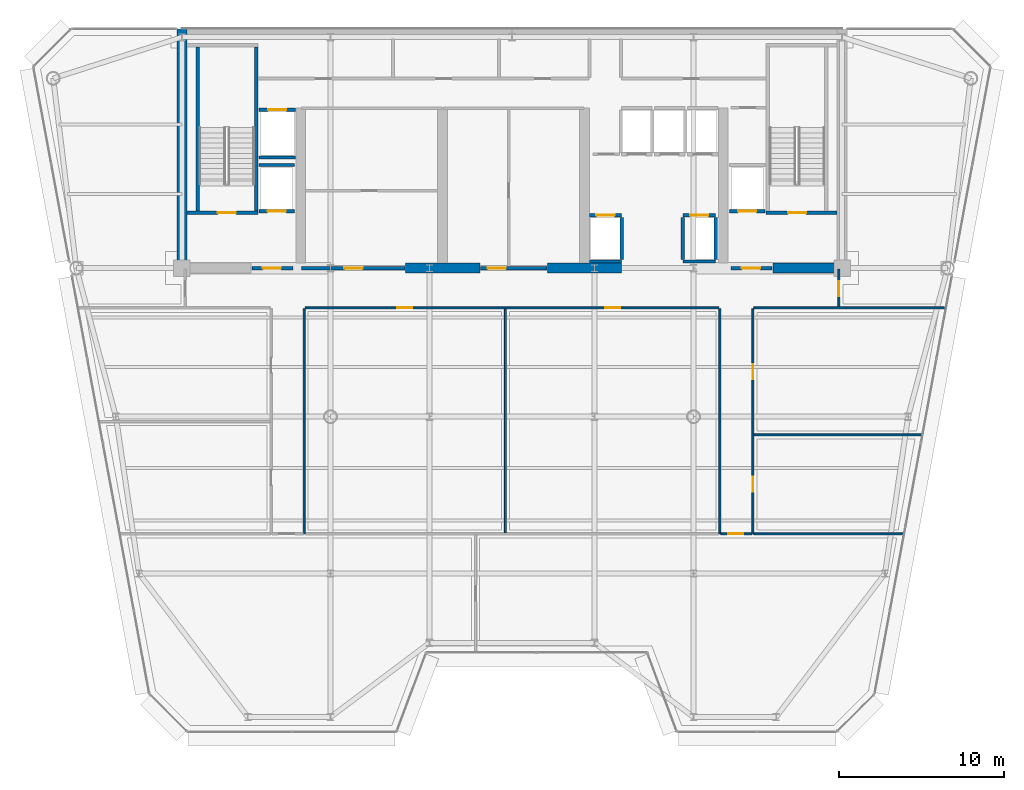
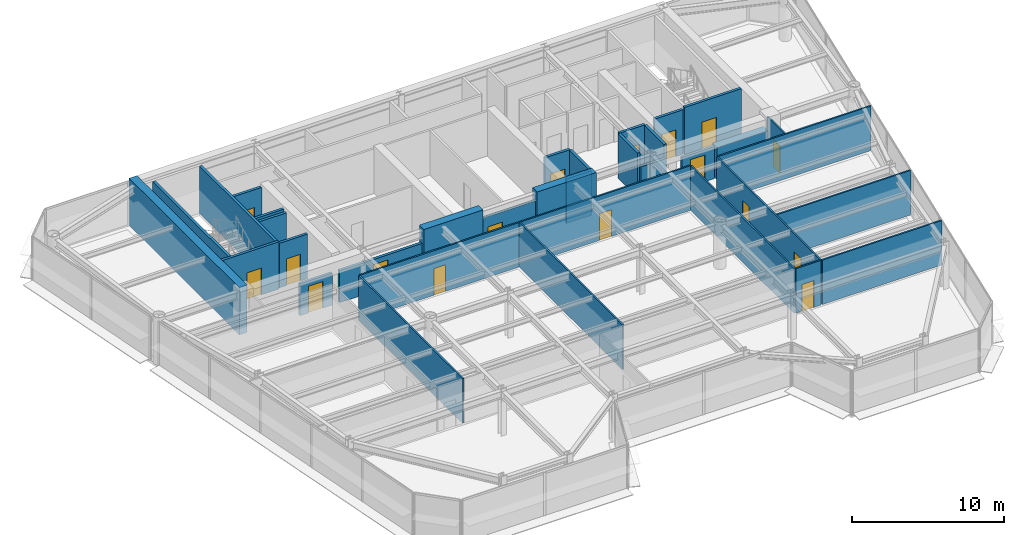
# One storey, part 11 of 16: 34 walls, 17 doors, 17 openings.
"""IFC4 building model written with IfcOpenShell, lengths in metres."""

from ifc_helpers import new_model, si_unit, direction, frame, frame_2d, origin, place, context, subcontext, project, spatial, rectangle, extrude, source, transform, mapped, material, layer, layer_set, type_object, element, fill, save


model = new_model("IFC4")

# Units and contexts
model_context = context("Model", 3, precision=1e-05, world=origin(), true_north=direction((0.0, 1.0)))
body_context = subcontext(model_context, "Body", "Model", "MODEL_VIEW")
ifc_project = project(units=[si_unit("LENGTHUNIT", "METRE"), si_unit("AREAUNIT", "SQUARE_METRE"), si_unit("VOLUMEUNIT", "CUBIC_METRE"), si_unit("PLANEANGLEUNIT", "RADIAN"), si_unit("MASSUNIT", "GRAM", prefix="KILO")], contexts=[model_context])

# Site, building, storey
site_placement = place(None, origin())
site = spatial("IfcSite", under=ifc_project, at=site_placement, CompositionType="ELEMENT")
building_placement = place(site_placement, origin())
building = spatial("IfcBuilding", under=site, at=building_placement, Name="Vaeldorn Concourse Tower", CompositionType="ELEMENT")
storey_placement = place(building_placement, frame((0.0, 0.0, 210.800048828125)))
storey = spatial("IfcBuildingStorey", under=building, at=storey_placement, Name="L54", CompositionType="ELEMENT", Elevation=210.800048828125)

# Walls
ifc_material_1 = material(Name="Concrete C50/60", Category="concrete")
ifc_layer_1 = layer(ifc_material_1, 0.60009765625)
ifc_layer_set_1 = layer_set([ifc_layer_1], Name="Concrete C50/60")
wall_type_1 = type_object("IfcWallType", Name="WL-CORE-600", PredefinedType="SHEAR", material=ifc_layer_set_1)
wall_1_placement = place(storey_placement, frame((14.0, 36.5, 0.0), z_axis=(0.0, 0.0, 1.0), x_axis=(0.0, 1.0, 0.0)))
element("IfcWall", 1, at=wall_1_placement, inside=storey, type_object=wall_type_1, Name="Rear Core Shear Wall L54 W1", PredefinedType="SHEAR", context=body_context, shape_type="SweptSolid", body=[
    extrude(rectangle(XDim=14.5, YDim=0.60009765625, at=frame_2d((7.25, 0.0))), origin(), (0.0, 0.0, 1.0), 3.800048828125),
])
for number, where, z_axis, x_axis, name in (
    (2, (27.550048828125, 36.5, 0.0), (0.0, 0.0, 1.0), (1.0, 0.0, 0.0), "Rear Core Shear Wall L54 S2"),
    (3, (36.14990234375, 36.5, 0.0), (0.0, 0.0, 1.0), (1.0, 0.0, 0.0), "Rear Core Shear Wall L54 S3"),
):
    element("IfcWall", number, at=place(storey_placement, frame(where, z_axis=z_axis, x_axis=x_axis)), inside=storey, type_object=wall_type_1, Name=name, PredefinedType="SHEAR", context=body_context, shape_type="SweptSolid", body=[
        extrude(rectangle(XDim=4.5, YDim=0.60009765625, at=frame_2d((2.25, 0.0))), origin(), (0.0, 0.0, 1.0), 3.800048828125),
    ])
wall_2_placement = place(storey_placement, frame((49.800048828125, 36.5, 0.0), z_axis=(0.0, 0.0, 1.0), x_axis=(1.0, 0.0, 0.0)))
element("IfcWall", 4, at=wall_2_placement, inside=storey, type_object=wall_type_1, Name="Rear Core Shear Wall L54 S4", PredefinedType="SHEAR", context=body_context, shape_type="SweptSolid", body=[
    extrude(rectangle(XDim=3.8798828125, YDim=0.60009765625, at=frame_2d((1.93994140625, 0.0))), origin(), (0.0, 0.0, 1.0), 2.579833984375),
])

# Wall, openings, doors
ifc_material_2 = material(Name="Gypsum Board Partition", Category="gypsum")
ifc_layer_2 = layer(ifc_material_2, 0.1201171875)
ifc_layer_set_2 = layer_set([ifc_layer_2], Name="Gypsum Board Partition")
wall_type_2 = type_object("IfcWallType", Name="WL-PART-120", PredefinedType="PARTITIONING", material=ifc_layer_set_2)
wall_3_placement = place(storey_placement, frame((21.4599609375, 34.10009765625, 0.0), z_axis=(0.0, 0.0, 1.0), x_axis=(1.0, 0.0, 0.0)))
wall_3 = element("IfcWall", 5, at=wall_3_placement, inside=storey, type_object=wall_type_2, Name="Interior Wall PW-L54-CEWS", PredefinedType="PARTITIONING", context=body_context, shape_type="SweptSolid", body=[
    extrude(rectangle(XDim=25.080078125, YDim=0.1201171875, at=frame_2d((12.5400390625, 0.0))), origin(), (0.0, 0.0, 1.0), 3.579833984375),
])
opening_1_placement = place(wall_3_placement, frame((5.590087890625, 0.0, 0.0)))
opening_1 = element("IfcOpeningElement", 6, at=opening_1_placement, cuts=wall_3, Name="Opening D-03", PredefinedType="OPENING", context=body_context, shape_type="SweptSolid", body=[
    extrude(rectangle(XDim=0.89990234375, YDim=2.14990234375, at=frame_2d((0.449951171875, 1.074951171875))), frame((0.0, 0.070068359375, 0.0), z_axis=(0.0, -1.0, 0.0), x_axis=(1.0, 0.0, 0.0)), (0.0, 0.0, 1.0), 0.14013671875),
])
opening_2_placement = place(wall_3_placement, frame((18.18994140625, 0.0, 0.0)))
opening_2 = element("IfcOpeningElement", 7, at=opening_2_placement, cuts=wall_3, Name="Opening D-03", PredefinedType="OPENING", context=body_context, shape_type="SweptSolid", body=[
    extrude(rectangle(XDim=0.89990234375, YDim=2.14990234375, at=frame_2d((0.449951171875, 1.074951171875))), frame((0.0, 0.070068359375, 0.0), z_axis=(0.0, -1.0, 0.0), x_axis=(1.0, 0.0, 0.0)), (0.0, 0.0, 1.0), 0.14013671875),
])
ifc_material_3 = material(Name="Acoustic Bronze-Framed Glass Door", Category="glass")
door_type_1 = type_object("IfcDoorType", Name="DR-INT-900", OperationType="NOTDEFINED", PredefinedType="DOOR", material=ifc_material_3)
shared_shape_1 = source(origin(), body_context, "Body", "SweptSolid", [
    extrude(rectangle(XDim=0.89990234375, YDim=2.14990234375, at=frame_2d((0.449951171875, 1.074951171875))), frame((0.0, 0.02490234375, 0.0), z_axis=(0.0, -1.0, 0.0), x_axis=(1.0, 0.0, 0.0)), (0.0, 0.0, 1.0), 0.050048828125),
])
door_1_placement = place(opening_1_placement, origin())
door_1 = element("IfcDoor", 8, at=door_1_placement, inside=storey, type_object=door_type_1, Name="Interior Door DR-L54-H1", OperationType="SINGLE_SWING_LEFT", OverallHeight=2.14990234375, OverallWidth=0.89990234375, PredefinedType="DOOR", context=body_context, shape_type="MappedRepresentation", body=[
    mapped(shared_shape_1, transform((0.0, 0.0, 0.0), scale=1.0)),
])
fill(opening_1, door_1)
door_2_placement = place(opening_2_placement, origin())
door_2 = element("IfcDoor", 9, at=door_2_placement, inside=storey, type_object=door_type_1, Name="Interior Door DR-L54-H2", OperationType="SINGLE_SWING_RIGHT", OverallHeight=2.14990234375, OverallWidth=0.89990234375, PredefinedType="DOOR", context=body_context, shape_type="MappedRepresentation", body=[
    mapped(shared_shape_1, transform((0.0, 0.0, 0.0), scale=1.0)),
])
fill(opening_2, door_2)

# Wall
wall_4_placement = place(storey_placement, frame((48.659912109375, 34.10009765625, 0.0), z_axis=(0.0, 0.0, 1.0), x_axis=(1.0, 0.0, 0.0)))
element("IfcWall", 10, at=wall_4_placement, inside=storey, type_object=wall_type_2, Name="Interior Wall PW-L54-CEWE", PredefinedType="PARTITIONING", context=body_context, shape_type="SweptSolid", body=[
    extrude(rectangle(XDim=11.599609375, YDim=0.1201171875, at=frame_2d((5.7998046875, 0.0))), origin(), (0.0, 0.0, 1.0), 3.579833984375),
])

# Wall, opening, door
wall_5_placement = place(storey_placement, frame((53.800048828125, 34.159912109375, 0.0), z_axis=(0.0, 0.0, 1.0), x_axis=(0.0, 1.0, 0.0)))
wall_5 = element("IfcWall", 11, at=wall_5_placement, inside=storey, type_object=wall_type_2, Name="Interior Wall PW-L54-CEET", PredefinedType="PARTITIONING", context=body_context, shape_type="SweptSolid", body=[
    extrude(rectangle(XDim=2.280029296875, YDim=0.1201171875, at=frame_2d((1.14013671875, 0.0))), origin(), (0.0, 0.0, 1.0), 3.579833984375),
])
opening_3_placement = place(wall_5_placement, frame((0.64990234375, 0.0, 0.0)))
opening_3 = element("IfcOpeningElement", 12, at=opening_3_placement, cuts=wall_5, Name="Opening D-03", PredefinedType="OPENING", context=body_context, shape_type="SweptSolid", body=[
    extrude(rectangle(XDim=0.89990234375, YDim=2.14990234375, at=frame_2d((0.449951171875, 1.074951171875))), frame((0.0, 0.070068359375, 0.0), z_axis=(0.0, -1.0, 0.0), x_axis=(1.0, 0.0, 0.0)), (0.0, 0.0, 1.0), 0.14013671875),
])
door_3_placement = place(opening_3_placement, origin())
door_3 = element("IfcDoor", 13, at=door_3_placement, inside=storey, type_object=door_type_1, Name="Interior Door DR-L54-NE1", OperationType="SINGLE_SWING_RIGHT", OverallHeight=2.14990234375, OverallWidth=0.89990234375, PredefinedType="DOOR", context=body_context, shape_type="MappedRepresentation", body=[
    mapped(shared_shape_1, transform((0.0, 0.0, 0.0), scale=1.0)),
])
fill(opening_3, door_3)

# Walls
for number, where, z_axis, x_axis, name in (
    (14, (21.39990234375, 20.39990234375, 0.0), (0.0, 0.0, 1.0), (0.0, 1.0, 0.0), "Interior Wall PW-L54-CWE"),
    (15, (46.60009765625, 20.39990234375, 0.0), (0.0, 0.0, 1.0), (0.0, 1.0, 0.0), "Interior Wall PW-L54-CEW"),
):
    element("IfcWall", number, at=place(storey_placement, frame(where, z_axis=z_axis, x_axis=x_axis)), inside=storey, type_object=wall_type_2, Name=name, PredefinedType="PARTITIONING", context=body_context, shape_type="SweptSolid", body=[
        extrude(rectangle(XDim=13.64013671875, YDim=0.1201171875, at=frame_2d((6.820068359375, 0.0))), origin(), (0.0, 0.0, 1.0), 3.579833984375),
    ])

# Wall, openings, doors
wall_6_placement = place(storey_placement, frame((48.60009765625, 20.39990234375, 0.0), z_axis=(0.0, 0.0, 1.0), x_axis=(0.0, 1.0, 0.0)))
wall_6 = element("IfcWall", 16, at=wall_6_placement, inside=storey, type_object=wall_type_2, Name="Interior Wall PW-L54-CEE", PredefinedType="PARTITIONING", context=body_context, shape_type="SweptSolid", body=[
    extrude(rectangle(XDim=13.64013671875, YDim=0.1201171875, at=frame_2d((6.820068359375, 0.0))), origin(), (0.0, 0.0, 1.0), 3.579833984375),
])
opening_4_placement = place(wall_6_placement, frame((2.550048828125, 0.0, 0.0)))
opening_4 = element("IfcOpeningElement", 17, at=opening_4_placement, cuts=wall_6, Name="Opening D-03", PredefinedType="OPENING", context=body_context, shape_type="SweptSolid", body=[
    extrude(rectangle(XDim=0.89990234375, YDim=2.14990234375, at=frame_2d((0.449951171875, 1.074951171875))), frame((0.0, 0.070068359375, 0.0), z_axis=(0.0, -1.0, 0.0), x_axis=(1.0, 0.0, 0.0)), (0.0, 0.0, 1.0), 0.14013671875),
])
opening_5_placement = place(wall_6_placement, frame((9.3701171875, 0.0, 0.0)))
opening_5 = element("IfcOpeningElement", 18, at=opening_5_placement, cuts=wall_6, Name="Opening D-03", PredefinedType="OPENING", context=body_context, shape_type="SweptSolid", body=[
    extrude(rectangle(XDim=0.89990234375, YDim=2.14990234375, at=frame_2d((0.449951171875, 1.074951171875))), frame((0.0, 0.070068359375, 0.0), z_axis=(0.0, -1.0, 0.0), x_axis=(1.0, 0.0, 0.0)), (0.0, 0.0, 1.0), 0.14013671875),
])
door_4_placement = place(opening_4_placement, origin())
door_4 = element("IfcDoor", 19, at=door_4_placement, inside=storey, type_object=door_type_1, Name="Interior Door DR-L54-E1", OperationType="SINGLE_SWING_RIGHT", OverallHeight=2.14990234375, OverallWidth=0.89990234375, PredefinedType="DOOR", context=body_context, shape_type="MappedRepresentation", body=[
    mapped(shared_shape_1, transform((0.0, 0.0, 0.0), scale=1.0)),
])
fill(opening_4, door_4)
door_5_placement = place(opening_5_placement, origin())
door_5 = element("IfcDoor", 20, at=door_5_placement, inside=storey, type_object=door_type_1, Name="Interior Door DR-L54-E2", OperationType="SINGLE_SWING_LEFT", OverallHeight=2.14990234375, OverallWidth=0.89990234375, PredefinedType="DOOR", context=body_context, shape_type="MappedRepresentation", body=[
    mapped(shared_shape_1, transform((0.0, 0.0, 0.0), scale=1.0)),
])
fill(opening_5, door_5)

# Wall, opening, door
wall_7_placement = place(storey_placement, frame((46.659912109375, 20.39990234375, 0.0), z_axis=(0.0, 0.0, 1.0), x_axis=(1.0, 0.0, 0.0)))
wall_7 = element("IfcWall", 21, at=wall_7_placement, inside=storey, type_object=wall_type_2, Name="Interior Wall PW-L54-CES", PredefinedType="PARTITIONING", context=body_context, shape_type="SweptSolid", body=[
    extrude(rectangle(XDim=1.880126953125, YDim=0.1201171875, at=frame_2d((0.93994140625, 0.0))), origin(), (0.0, 0.0, 1.0), 3.579833984375),
])
opening_6_placement = place(wall_7_placement, frame((0.449951171875, 0.0, 0.0)))
opening_6 = element("IfcOpeningElement", 22, at=opening_6_placement, cuts=wall_7, Name="Opening D-03", PredefinedType="OPENING", context=body_context, shape_type="SweptSolid", body=[
    extrude(rectangle(XDim=0.89990234375, YDim=2.14990234375, at=frame_2d((0.449951171875, 1.074951171875))), frame((0.0, 0.070068359375, 0.0), z_axis=(0.0, -1.0, 0.0), x_axis=(1.0, 0.0, 0.0)), (0.0, 0.0, 1.0), 0.14013671875),
])
door_6_placement = place(opening_6_placement, origin())
door_6 = element("IfcDoor", 23, at=door_6_placement, inside=storey, type_object=door_type_1, Name="Interior Door DR-L54-SEL", OperationType="SINGLE_SWING_RIGHT", OverallHeight=2.14990234375, OverallWidth=0.89990234375, PredefinedType="DOOR", context=body_context, shape_type="MappedRepresentation", body=[
    mapped(shared_shape_1, transform((0.0, 0.0, 0.0), scale=1.0)),
])
fill(opening_6, door_6)

# Walls
wall_8_placement = place(storey_placement, frame((48.659912109375, 20.39990234375, 0.0), z_axis=(0.0, 0.0, 1.0), x_axis=(1.0, 0.0, 0.0)))
element("IfcWall", 24, at=wall_8_placement, inside=storey, type_object=wall_type_2, Name="Interior Wall PW-L54-EY0", PredefinedType="PARTITIONING", context=body_context, shape_type="SweptSolid", body=[
    extrude(rectangle(XDim=9.065185546875, YDim=0.1201171875, at=frame_2d((4.53271484375, 0.0))), origin(), (0.0, 0.0, 1.0), 3.579833984375),
])
wall_9_placement = place(storey_placement, frame((48.659912109375, 26.39990234375, 0.0), z_axis=(0.0, 0.0, 1.0), x_axis=(1.0, 0.0, 0.0)))
element("IfcWall", 25, at=wall_9_placement, inside=storey, type_object=wall_type_2, Name="Interior Wall PW-L54-EY1", PredefinedType="PARTITIONING", context=body_context, shape_type="SweptSolid", body=[
    extrude(rectangle(XDim=10.17529296875, YDim=0.1201171875, at=frame_2d((5.087646484375, 0.0))), origin(), (0.0, 0.0, 1.0), 3.579833984375),
])
wall_10_placement = place(storey_placement, frame((33.60009765625, 20.4599609375, 0.0), z_axis=(0.0, 0.0, 1.0), x_axis=(0.0, 1.0, 0.0)))
element("IfcWall", 26, at=wall_10_placement, inside=storey, type_object=wall_type_2, Name="Interior Wall PW-L54-HX1", PredefinedType="PARTITIONING", context=body_context, shape_type="SweptSolid", body=[
    extrude(rectangle(XDim=13.580078125, YDim=0.1201171875, at=frame_2d((6.7900390625, 0.0))), origin(), (0.0, 0.0, 1.0), 3.579833984375),
])

# Wall, opening, door
ifc_layer_3 = layer(ifc_material_1, 0.199951171875)
ifc_layer_set_3 = layer_set([ifc_layer_3], Name="Concrete C50/60")
wall_type_3 = type_object("IfcWallType", Name="WL-SHAFT-200", PredefinedType="SOLIDWALL", material=ifc_layer_set_3)
wall_11_placement = place(storey_placement, frame((14.300048828125, 39.85009765625, 0.0), z_axis=(0.0, 0.0, 1.0), x_axis=(1.0, 0.0, 0.0)))
wall_11 = element("IfcWall", 27, at=wall_11_placement, inside=storey, type_object=wall_type_3, Name="Stair Shaft Wall CW-L54-ST-1-S", PredefinedType="SOLIDWALL", context=body_context, shape_type="SweptSolid", body=[
    extrude(rectangle(XDim=4.300048828125, YDim=0.199951171875, at=frame_2d((2.14990234375, 0.0))), origin(), (0.0, 0.0, 1.0), 3.800048828125),
])
opening_7_placement = place(wall_11_placement, frame((1.875, 0.0, 0.0)))
opening_7 = element("IfcOpeningElement", 28, at=opening_7_placement, cuts=wall_11, Name="Opening D-01", PredefinedType="OPENING", context=body_context, shape_type="SweptSolid", body=[
    extrude(rectangle(XDim=1.10009765625, YDim=2.14990234375, at=frame_2d((0.550048828125, 1.074951171875))), frame((0.0, 0.10986328125, 0.0), z_axis=(0.0, -1.0, 0.0), x_axis=(1.0, 0.0, 0.0)), (0.0, 0.0, 1.0), 0.219970703125),
])
ifc_material_4 = material(Name="Fire-Rated Timber and Steel Leaf", Category="steel")
door_type_2 = type_object("IfcDoorType", Name="DR-FD60-1100", OperationType="NOTDEFINED", PredefinedType="DOOR", material=ifc_material_4)
shared_shape_2 = source(origin(), body_context, "Body", "SweptSolid", [
    extrude(rectangle(XDim=1.10009765625, YDim=2.14990234375, at=frame_2d((0.550048828125, 1.074951171875))), frame((0.0, 0.02490234375, 0.0), z_axis=(0.0, -1.0, 0.0), x_axis=(1.0, 0.0, 0.0)), (0.0, 0.0, 1.0), 0.050048828125),
])
door_7_placement = place(opening_7_placement, origin())
door_7 = element("IfcDoor", 29, at=door_7_placement, inside=storey, type_object=door_type_2, Name="Interior Door DR-L54-ST-1", OperationType="SINGLE_SWING_LEFT", OverallHeight=2.14990234375, OverallWidth=1.10009765625, PredefinedType="DOOR", context=body_context, shape_type="MappedRepresentation", body=[
    mapped(shared_shape_2, transform((0.0, 0.0, 0.0), scale=1.0)),
])
fill(opening_7, door_7)

# Walls
for number, where, z_axis, x_axis, name in (
    (30, (14.949951171875, 39.9599609375, 0.0), (0.0, 0.0, 1.0), (0.0, 1.0, 0.0), "Stair Shaft Wall CW-L54-ST-1-W"),
    (31, (18.5, 39.9599609375, 0.0), (0.0, 0.0, 1.0), (0.0, 1.0, 0.0), "Stair Shaft Wall CW-L54-ST-1-E"),
):
    element("IfcWall", number, at=place(storey_placement, frame(where, z_axis=z_axis, x_axis=x_axis)), inside=storey, type_object=wall_type_3, Name=name, PredefinedType="SOLIDWALL", context=body_context, shape_type="SweptSolid", body=[
        extrude(rectangle(XDim=9.929931640625, YDim=0.199951171875, at=frame_2d((4.96484375, 0.0))), origin(), (0.0, 0.0, 1.0), 3.800048828125),
    ])

# Wall, opening, door
wall_12_placement = place(storey_placement, frame((49.39990234375, 39.85009765625, 0.0), z_axis=(0.0, 0.0, 1.0), x_axis=(1.0, 0.0, 0.0)))
wall_12 = element("IfcWall", 32, at=wall_12_placement, inside=storey, type_object=wall_type_3, Name="Stair Shaft Wall CW-L54-ST-2-S", PredefinedType="SOLIDWALL", context=body_context, shape_type="SweptSolid", body=[
    extrude(rectangle(XDim=4.300048828125, YDim=0.199951171875, at=frame_2d((2.14990234375, 0.0))), origin(), (0.0, 0.0, 1.0), 3.800048828125),
])
opening_8_placement = place(wall_12_placement, frame((1.324951171875, 0.0, 0.0)))
opening_8 = element("IfcOpeningElement", 33, at=opening_8_placement, cuts=wall_12, Name="Opening D-01", PredefinedType="OPENING", context=body_context, shape_type="SweptSolid", body=[
    extrude(rectangle(XDim=1.10009765625, YDim=2.14990234375, at=frame_2d((0.550048828125, 1.074951171875))), frame((0.0, 0.10986328125, 0.0), z_axis=(0.0, -1.0, 0.0), x_axis=(1.0, 0.0, 0.0)), (0.0, 0.0, 1.0), 0.219970703125),
])
door_8_placement = place(opening_8_placement, origin())
door_8 = element("IfcDoor", 34, at=door_8_placement, inside=storey, type_object=door_type_2, Name="Interior Door DR-L54-ST-2", OperationType="SINGLE_SWING_RIGHT", OverallHeight=2.14990234375, OverallWidth=1.10009765625, PredefinedType="DOOR", context=body_context, shape_type="MappedRepresentation", body=[
    mapped(shared_shape_2, transform((0.0, 0.0, 0.0), scale=1.0)),
])
fill(opening_8, door_8)

wall_13_placement = place(storey_placement, frame((18.25, 36.5, 0.0), z_axis=(0.0, 0.0, 1.0), x_axis=(1.0, 0.0, 0.0)))
wall_13 = element("IfcWall", 35, at=wall_13_placement, inside=storey, type_object=wall_type_3, Name="Interior Wall CW-L54-FF1S", PredefinedType="SOLIDWALL", context=body_context, shape_type="SweptSolid", body=[
    extrude(rectangle(XDim=2.469970703125, YDim=0.199951171875, at=frame_2d((1.23486328125, 0.0))), origin(), (0.0, 0.0, 1.0), 2.570068359375),
])
opening_9_placement = place(wall_13_placement, frame((0.64990234375, 0.0, 0.0)))
opening_9 = element("IfcOpeningElement", 36, at=opening_9_placement, cuts=wall_13, Name="Opening D-01", PredefinedType="OPENING", context=body_context, shape_type="SweptSolid", body=[
    extrude(rectangle(XDim=1.10009765625, YDim=2.14990234375, at=frame_2d((0.550048828125, 1.074951171875))), frame((0.0, 0.10986328125, 0.0), z_axis=(0.0, -1.0, 0.0), x_axis=(1.0, 0.0, 0.0)), (0.0, 0.0, 1.0), 0.219970703125),
])
door_9_placement = place(opening_9_placement, origin())
door_9 = element("IfcDoor", 37, at=door_9_placement, inside=storey, type_object=door_type_2, Name="Interior Door DR-L54-FF1E", OperationType="SINGLE_SWING_RIGHT", OverallHeight=2.14990234375, OverallWidth=1.10009765625, PredefinedType="DOOR", context=body_context, shape_type="MappedRepresentation", body=[
    mapped(shared_shape_2, transform((0.0, 0.0, 0.0), scale=1.0)),
])
fill(opening_9, door_9)

wall_14_placement = place(storey_placement, frame((47.280029296875, 36.5, 0.0), z_axis=(0.0, 0.0, 1.0), x_axis=(1.0, 0.0, 0.0)))
wall_14 = element("IfcWall", 38, at=wall_14_placement, inside=storey, type_object=wall_type_3, Name="Interior Wall CW-L54-FF2S", PredefinedType="SOLIDWALL", context=body_context, shape_type="SweptSolid", body=[
    extrude(rectangle(XDim=2.469970703125, YDim=0.199951171875, at=frame_2d((1.23486328125, 0.0))), origin(), (0.0, 0.0, 1.0), 2.570068359375),
])
opening_10_placement = place(wall_14_placement, frame((0.64990234375, 0.0, 0.0)))
opening_10 = element("IfcOpeningElement", 39, at=opening_10_placement, cuts=wall_14, Name="Opening D-01", PredefinedType="OPENING", context=body_context, shape_type="SweptSolid", body=[
    extrude(rectangle(XDim=1.10009765625, YDim=2.14990234375, at=frame_2d((0.550048828125, 1.074951171875))), frame((0.0, 0.10986328125, 0.0), z_axis=(0.0, -1.0, 0.0), x_axis=(1.0, 0.0, 0.0)), (0.0, 0.0, 1.0), 0.219970703125),
])
door_10_placement = place(opening_10_placement, origin())
door_10 = element("IfcDoor", 40, at=door_10_placement, inside=storey, type_object=door_type_2, Name="Interior Door DR-L54-FF2W", OperationType="SINGLE_SWING_LEFT", OverallHeight=2.14990234375, OverallWidth=1.10009765625, PredefinedType="DOOR", context=body_context, shape_type="MappedRepresentation", body=[
    mapped(shared_shape_2, transform((0.0, 0.0, 0.0), scale=1.0)),
])
fill(opening_10, door_10)

wall_15_placement = place(storey_placement, frame((38.7099609375, 39.699951171875, 0.0), z_axis=(0.0, 0.0, 1.0), x_axis=(1.0, 0.0, 0.0)))
wall_15 = element("IfcWall", 41, at=wall_15_placement, inside=storey, type_object=wall_type_3, Name="Interior Wall CW-L54-LF-LF-13", PredefinedType="SOLIDWALL", context=body_context, shape_type="SweptSolid", body=[
    extrude(rectangle(XDim=1.919921875, YDim=0.199951171875, at=frame_2d((0.9599609375, 0.0))), origin(), (0.0, 0.0, 1.0), 3.579833984375),
])
opening_11_placement = place(wall_15_placement, frame((0.409912109375, 0.0, 0.0)))
opening_11 = element("IfcOpeningElement", 42, at=opening_11_placement, cuts=wall_15, Name="Opening LD-1", PredefinedType="OPENING", context=body_context, shape_type="SweptSolid", body=[
    extrude(rectangle(XDim=1.10009765625, YDim=2.14990234375, at=frame_2d((0.550048828125, 1.074951171875))), frame((0.0, 0.10986328125, 0.0), z_axis=(0.0, -1.0, 0.0), x_axis=(1.0, 0.0, 0.0)), (0.0, 0.0, 1.0), 0.219970703125),
])
ifc_material_5 = material(Name="Anodised Bronze Aluminium", Category="aluminium")
door_type_3 = type_object("IfcDoorType", Name="DR-LIFT-SLIDE-1100", OperationType="DOUBLE_DOOR_SLIDING", PredefinedType="DOOR", material=ifc_material_5)
door_11_placement = place(opening_11_placement, origin())
door_11 = element("IfcDoor", 43, at=door_11_placement, inside=storey, type_object=door_type_3, Name="Lift Landing Door LD-L54-LF-13", OperationType="DOUBLE_DOOR_SLIDING", OverallHeight=2.14990234375, OverallWidth=1.10009765625, PredefinedType="DOOR", context=body_context, shape_type="MappedRepresentation", body=[
    mapped(shared_shape_2, transform((0.0, 0.0, 0.0), scale=1.0)),
])
fill(opening_11, door_11)

# Walls
wall_16_placement = place(storey_placement, frame((38.7099609375, 36.89990234375, 0.0), z_axis=(0.0, 0.0, 1.0), x_axis=(1.0, 0.0, 0.0)))
element("IfcWall", 44, at=wall_16_placement, inside=storey, type_object=wall_type_3, Name="Interior Wall CW-L54-LFB-LF-13", PredefinedType="SOLIDWALL", context=body_context, shape_type="SweptSolid", body=[
    extrude(rectangle(XDim=1.919921875, YDim=0.199951171875, at=frame_2d((0.9599609375, 0.0))), origin(), (0.0, 0.0, 1.0), 3.579833984375),
])
wall_17_placement = place(storey_placement, frame((40.64990234375, 37.02001953125, 0.0), z_axis=(0.0, 0.0, 1.0), x_axis=(0.0, 1.0, 0.0)))
element("IfcWall", 45, at=wall_17_placement, inside=storey, type_object=wall_type_3, Name="Interior Wall CW-L54-LFE-LF-13", PredefinedType="SOLIDWALL", context=body_context, shape_type="SweptSolid", body=[
    extrude(rectangle(XDim=2.56005859375, YDim=0.199951171875, at=frame_2d((1.280029296875, 0.0))), origin(), (0.0, 0.0, 1.0), 3.579833984375),
])

# Wall, opening, door
wall_18_placement = place(storey_placement, frame((44.3701171875, 39.699951171875, 0.0), z_axis=(0.0, 0.0, 1.0), x_axis=(1.0, 0.0, 0.0)))
wall_18 = element("IfcWall", 46, at=wall_18_placement, inside=storey, type_object=wall_type_3, Name="Interior Wall CW-L54-LF-LF-14", PredefinedType="SOLIDWALL", context=body_context, shape_type="SweptSolid", body=[
    extrude(rectangle(XDim=1.9599609375, YDim=0.199951171875, at=frame_2d((0.97998046875, 0.0))), origin(), (0.0, 0.0, 1.0), 3.579833984375),
])
opening_12_placement = place(wall_18_placement, frame((0.429931640625, 0.0, 0.0)))
opening_12 = element("IfcOpeningElement", 47, at=opening_12_placement, cuts=wall_18, Name="Opening LD-1", PredefinedType="OPENING", context=body_context, shape_type="SweptSolid", body=[
    extrude(rectangle(XDim=1.10009765625, YDim=2.14990234375, at=frame_2d((0.550048828125, 1.074951171875))), frame((0.0, 0.10986328125, 0.0), z_axis=(0.0, -1.0, 0.0), x_axis=(1.0, 0.0, 0.0)), (0.0, 0.0, 1.0), 0.219970703125),
])
door_12_placement = place(opening_12_placement, origin())
door_12 = element("IfcDoor", 48, at=door_12_placement, inside=storey, type_object=door_type_3, Name="Lift Landing Door LD-L54-LF-14", OperationType="DOUBLE_DOOR_SLIDING", OverallHeight=2.14990234375, OverallWidth=1.10009765625, PredefinedType="DOOR", context=body_context, shape_type="MappedRepresentation", body=[
    mapped(shared_shape_2, transform((0.0, 0.0, 0.0), scale=1.0)),
])
fill(opening_12, door_12)

# Walls
wall_19_placement = place(storey_placement, frame((44.3701171875, 36.89990234375, 0.0), z_axis=(0.0, 0.0, 1.0), x_axis=(1.0, 0.0, 0.0)))
element("IfcWall", 49, at=wall_19_placement, inside=storey, type_object=wall_type_3, Name="Interior Wall CW-L54-LFB-LF-14", PredefinedType="SOLIDWALL", context=body_context, shape_type="SweptSolid", body=[
    extrude(rectangle(XDim=1.9599609375, YDim=0.199951171875, at=frame_2d((0.97998046875, 0.0))), origin(), (0.0, 0.0, 1.0), 2.570068359375),
])
for number, where, z_axis, x_axis, name in (
    (50, (44.35009765625, 37.02001953125, 0.0), (0.0, 0.0, 1.0), (0.0, 1.0, 0.0), "Interior Wall CW-L54-LFW-LF-14"),
    (51, (46.35009765625, 37.02001953125, 0.0), (0.0, 0.0, 1.0), (0.0, 1.0, 0.0), "Interior Wall CW-L54-LFE-LF-14"),
):
    element("IfcWall", number, at=place(storey_placement, frame(where, z_axis=z_axis, x_axis=x_axis)), inside=storey, type_object=wall_type_3, Name=name, PredefinedType="SOLIDWALL", context=body_context, shape_type="SweptSolid", body=[
        extrude(rectangle(XDim=2.56005859375, YDim=0.199951171875, at=frame_2d((1.280029296875, 0.0))), origin(), (0.0, 0.0, 1.0), 3.579833984375),
    ])

# Wall, opening, door
wall_20_placement = place(storey_placement, frame((18.669921875, 46.10009765625, 0.0), z_axis=(0.0, 0.0, 1.0), x_axis=(1.0, 0.0, 0.0)))
wall_20 = element("IfcWall", 52, at=wall_20_placement, inside=storey, type_object=wall_type_3, Name="Interior Wall CW-L54-LF-LF-SV1", PredefinedType="SOLIDWALL", context=body_context, shape_type="SweptSolid", body=[
    extrude(rectangle(XDim=2.219970703125, YDim=0.199951171875, at=frame_2d((1.10986328125, 0.0))), origin(), (0.0, 0.0, 1.0), 3.579833984375),
])
opening_13_placement = place(wall_20_placement, frame((0.56005859375, 0.0, 0.0)))
opening_13 = element("IfcOpeningElement", 53, at=opening_13_placement, cuts=wall_20, Name="Opening LD-1", PredefinedType="OPENING", context=body_context, shape_type="SweptSolid", body=[
    extrude(rectangle(XDim=1.10009765625, YDim=2.14990234375, at=frame_2d((0.550048828125, 1.074951171875))), frame((0.0, 0.10986328125, 0.0), z_axis=(0.0, -1.0, 0.0), x_axis=(1.0, 0.0, 0.0)), (0.0, 0.0, 1.0), 0.219970703125),
])
door_13_placement = place(opening_13_placement, origin())
door_13 = element("IfcDoor", 54, at=door_13_placement, inside=storey, type_object=door_type_3, Name="Lift Landing Door LD-L54-LF-SV1", OperationType="DOUBLE_DOOR_SLIDING", OverallHeight=2.14990234375, OverallWidth=1.10009765625, PredefinedType="DOOR", context=body_context, shape_type="MappedRepresentation", body=[
    mapped(shared_shape_2, transform((0.0, 0.0, 0.0), scale=1.0)),
])
fill(opening_13, door_13)

# Wall
wall_21_placement = place(storey_placement, frame((18.669921875, 43.199951171875, 0.0), z_axis=(0.0, 0.0, 1.0), x_axis=(1.0, 0.0, 0.0)))
element("IfcWall", 55, at=wall_21_placement, inside=storey, type_object=wall_type_3, Name="Interior Wall CW-L54-LFB-LF-SV1", PredefinedType="SOLIDWALL", context=body_context, shape_type="SweptSolid", body=[
    extrude(rectangle(XDim=2.219970703125, YDim=0.199951171875, at=frame_2d((1.10986328125, 0.0))), origin(), (0.0, 0.0, 1.0), 3.579833984375),
])

# Wall, opening, door
wall_22_placement = place(storey_placement, frame((18.669921875, 39.949951171875, 0.0), z_axis=(0.0, 0.0, 1.0), x_axis=(1.0, 0.0, 0.0)))
wall_22 = element("IfcWall", 56, at=wall_22_placement, inside=storey, type_object=wall_type_3, Name="Interior Wall CW-L54-LF-LF-FF1", PredefinedType="SOLIDWALL", context=body_context, shape_type="SweptSolid", body=[
    extrude(rectangle(XDim=2.16015625, YDim=0.199951171875, at=frame_2d((1.080078125, 0.0))), origin(), (0.0, 0.0, 1.0), 3.579833984375),
])
opening_14_placement = place(wall_22_placement, frame((0.530029296875, 0.0, 0.0)))
opening_14 = element("IfcOpeningElement", 57, at=opening_14_placement, cuts=wall_22, Name="Opening LD-1", PredefinedType="OPENING", context=body_context, shape_type="SweptSolid", body=[
    extrude(rectangle(XDim=1.10009765625, YDim=2.14990234375, at=frame_2d((0.550048828125, 1.074951171875))), frame((0.0, 0.10986328125, 0.0), z_axis=(0.0, -1.0, 0.0), x_axis=(1.0, 0.0, 0.0)), (0.0, 0.0, 1.0), 0.219970703125),
])
door_14_placement = place(opening_14_placement, origin())
door_14 = element("IfcDoor", 58, at=door_14_placement, inside=storey, type_object=door_type_3, Name="Lift Landing Door LD-L54-LF-FF1", OperationType="DOUBLE_DOOR_SLIDING", OverallHeight=2.14990234375, OverallWidth=1.10009765625, PredefinedType="DOOR", context=body_context, shape_type="MappedRepresentation", body=[
    mapped(shared_shape_2, transform((0.0, 0.0, 0.0), scale=1.0)),
])
fill(opening_14, door_14)

# Wall
wall_23_placement = place(storey_placement, frame((18.669921875, 42.75, 0.0), z_axis=(0.0, 0.0, 1.0), x_axis=(1.0, 0.0, 0.0)))
element("IfcWall", 59, at=wall_23_placement, inside=storey, type_object=wall_type_3, Name="Interior Wall CW-L54-LFB-LF-FF1", PredefinedType="SOLIDWALL", context=body_context, shape_type="SweptSolid", body=[
    extrude(rectangle(XDim=2.16015625, YDim=0.199951171875, at=frame_2d((1.080078125, 0.0))), origin(), (0.0, 0.0, 1.0), 3.579833984375),
])

# Wall, opening, door
wall_24_placement = place(storey_placement, frame((47.169921875, 39.949951171875, 0.0), z_axis=(0.0, 0.0, 1.0), x_axis=(1.0, 0.0, 0.0)))
wall_24 = element("IfcWall", 60, at=wall_24_placement, inside=storey, type_object=wall_type_3, Name="Interior Wall CW-L54-LF-LF-FF2", PredefinedType="SOLIDWALL", context=body_context, shape_type="SweptSolid", body=[
    extrude(rectangle(XDim=2.16015625, YDim=0.199951171875, at=frame_2d((1.080078125, 0.0))), origin(), (0.0, 0.0, 1.0), 3.579833984375),
])
opening_15_placement = place(wall_24_placement, frame((0.530029296875, 0.0, 0.0)))
opening_15 = element("IfcOpeningElement", 61, at=opening_15_placement, cuts=wall_24, Name="Opening LD-1", PredefinedType="OPENING", context=body_context, shape_type="SweptSolid", body=[
    extrude(rectangle(XDim=1.10009765625, YDim=2.14990234375, at=frame_2d((0.550048828125, 1.074951171875))), frame((0.0, 0.10986328125, 0.0), z_axis=(0.0, -1.0, 0.0), x_axis=(1.0, 0.0, 0.0)), (0.0, 0.0, 1.0), 0.219970703125),
])
door_15_placement = place(opening_15_placement, origin())
door_15 = element("IfcDoor", 62, at=door_15_placement, inside=storey, type_object=door_type_3, Name="Lift Landing Door LD-L54-LF-FF2", OperationType="DOUBLE_DOOR_SLIDING", OverallHeight=2.14990234375, OverallWidth=1.10009765625, PredefinedType="DOOR", context=body_context, shape_type="MappedRepresentation", body=[
    mapped(shared_shape_2, transform((0.0, 0.0, 0.0), scale=1.0)),
])
fill(opening_15, door_15)

wall_25_placement = place(storey_placement, frame((21.25, 36.5, 0.0), z_axis=(0.0, 0.0, 1.0), x_axis=(1.0, 0.0, 0.0)))
wall_25 = element("IfcWall", 63, at=wall_25_placement, inside=storey, type_object=wall_type_3, Name="Interior Wall CW-L54-R1S", PredefinedType="SOLIDWALL", context=body_context, shape_type="SweptSolid", body=[
    extrude(rectangle(XDim=6.27001953125, YDim=0.199951171875, at=frame_2d((3.135009765625, 0.0))), origin(), (0.0, 0.0, 1.0), 2.570068359375),
])
opening_16_placement = place(wall_25_placement, frame((2.60009765625, 0.0, 0.0)))
opening_16 = element("IfcOpeningElement", 64, at=opening_16_placement, cuts=wall_25, Name="Opening D-01", PredefinedType="OPENING", context=body_context, shape_type="SweptSolid", body=[
    extrude(rectangle(XDim=1.10009765625, YDim=2.14990234375, at=frame_2d((0.550048828125, 1.074951171875))), frame((0.0, 0.10986328125, 0.0), z_axis=(0.0, -1.0, 0.0), x_axis=(1.0, 0.0, 0.0)), (0.0, 0.0, 1.0), 0.219970703125),
])
door_16_placement = place(opening_16_placement, origin())
door_16 = element("IfcDoor", 65, at=door_16_placement, inside=storey, type_object=door_type_2, Name="Interior Door DR-L54-R1S", OperationType="SINGLE_SWING_LEFT", OverallHeight=2.14990234375, OverallWidth=1.10009765625, PredefinedType="DOOR", context=body_context, shape_type="MappedRepresentation", body=[
    mapped(shared_shape_2, transform((0.0, 0.0, 0.0), scale=1.0)),
])
fill(opening_16, door_16)

wall_26_placement = place(storey_placement, frame((32.080078125, 36.5, 0.0), z_axis=(0.0, 0.0, 1.0), x_axis=(1.0, 0.0, 0.0)))
wall_26 = element("IfcWall", 66, at=wall_26_placement, inside=storey, type_object=wall_type_3, Name="Interior Wall CW-L54-R2S", PredefinedType="SOLIDWALL", context=body_context, shape_type="SweptSolid", body=[
    extrude(rectangle(XDim=4.0400390625, YDim=0.199951171875, at=frame_2d((2.02001953125, 0.0))), origin(), (0.0, 0.0, 1.0), 2.969970703125),
])
opening_17_placement = place(wall_26_placement, frame((0.449951171875, 0.0, 0.0)))
opening_17 = element("IfcOpeningElement", 67, at=opening_17_placement, cuts=wall_26, Name="Opening D-01", PredefinedType="OPENING", context=body_context, shape_type="SweptSolid", body=[
    extrude(rectangle(XDim=1.10009765625, YDim=2.14990234375, at=frame_2d((0.550048828125, 1.074951171875))), frame((0.0, 0.10986328125, 0.0), z_axis=(0.0, -1.0, 0.0), x_axis=(1.0, 0.0, 0.0)), (0.0, 0.0, 1.0), 0.219970703125),
])
door_17_placement = place(opening_17_placement, origin())
door_17 = element("IfcDoor", 68, at=door_17_placement, inside=storey, type_object=door_type_2, Name="Interior Door DR-L54-R2W", OperationType="SINGLE_SWING_LEFT", OverallHeight=2.14990234375, OverallWidth=1.10009765625, PredefinedType="DOOR", context=body_context, shape_type="MappedRepresentation", body=[
    mapped(shared_shape_2, transform((0.0, 0.0, 0.0), scale=1.0)),
])
fill(opening_17, door_17)

save(model, "model.ifc")
